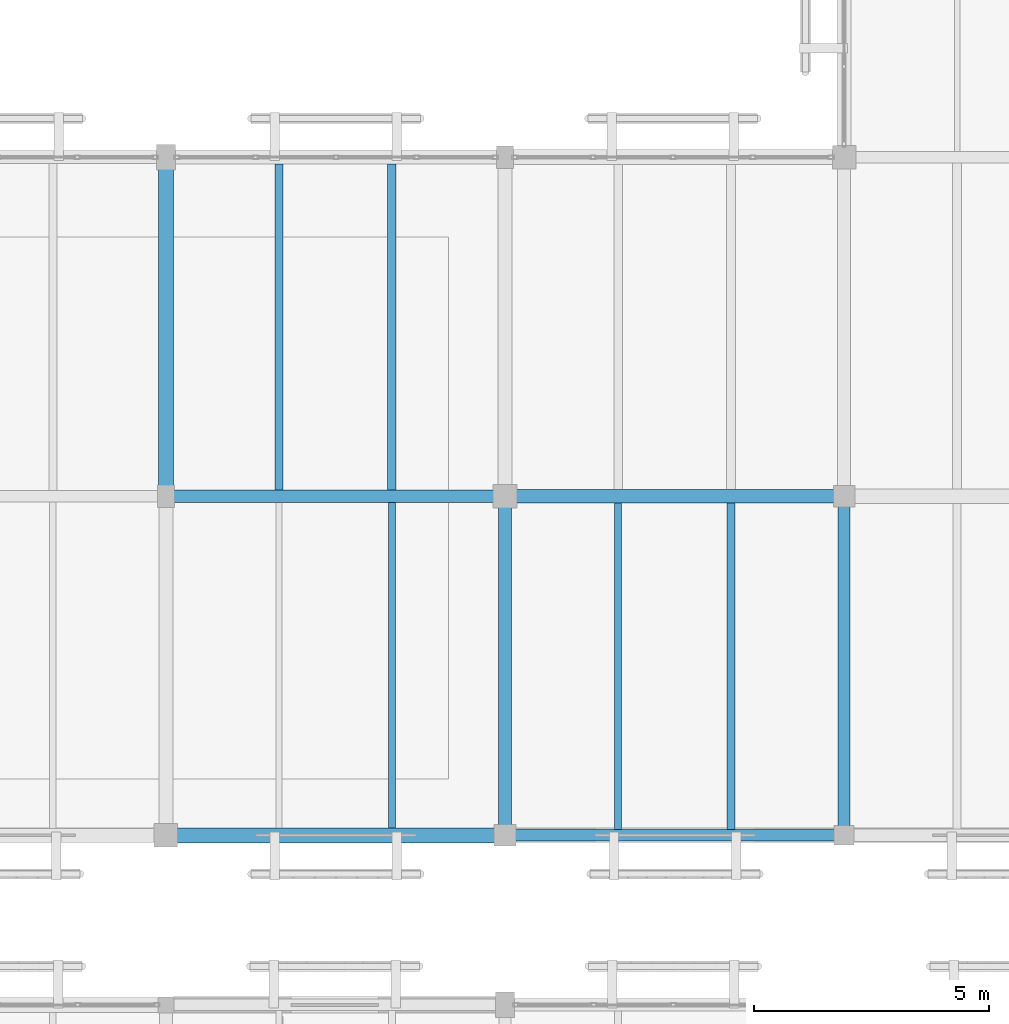
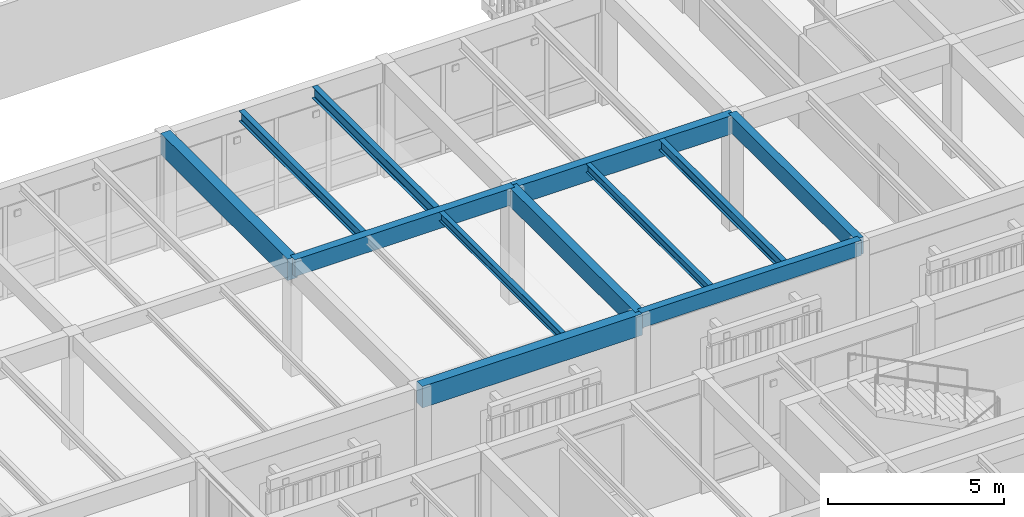
# One storey, part 142 of 217: 12 beams.
"""IFC4 building model written with IfcOpenShell, lengths in metres."""

import ifcopenshell
import ifcopenshell.guid

model = None  # the IFC model being written
_history = None  # IfcOwnerHistory: only IFC2X3 demands one
_inside = {}  # id of a spatial element -> (the spatial element, [elements in it])
_under = {}  # id of a project, library or spatial element -> (it, [spatial elements below it])
_declared = {}  # id of a project -> (the project, [libraries it declares])
_typed = {}  # id of a type object -> (the type object, [elements of that type])
_made_of = {}  # id of a material, layer set ... -> (it, [elements and type objects made of it])


def new_model(schema):
    """Start an empty IFC model of exactly this schema.

    Asked for "IFC4X3", IfcOpenShell would pick the latest addendum, in which some entities
    have other attributes; the version numbers below select the first issue.
    IFC2X3 requires an IfcOwnerHistory on every rooted entity: one is made here for all.
    """
    global model, _history
    if schema == "IFC4X3":
        model = ifcopenshell.file(schema_version=(4, 3, 0, 0))
    else:
        model = ifcopenshell.file(schema=schema)
    _inside.clear()
    _under.clear()
    _declared.clear()
    _typed.clear()
    _made_of.clear()
    _history = None
    if model.schema == "IFC2X3":
        org = make("IfcOrganization", Name="unknown")
        user = make(
            "IfcPersonAndOrganization",
            ThePerson=make("IfcPerson", FamilyName="unknown"),
            TheOrganization=org,
        )
        app = make(
            "IfcApplication",
            ApplicationDeveloper=org,
            Version="unknown",
            ApplicationFullName="unknown",
            ApplicationIdentifier="unknown",
        )
        _history = make(
            "IfcOwnerHistory",
            OwningUser=user,
            OwningApplication=app,
            ChangeAction="ADDED",
            CreationDate=0,
        )
    return model


def make(cls, **values):
    """One entity of the class cls with the attributes given. An attribute that is None is left unset."""
    return model.create_entity(
        cls, **{name: value for name, value in values.items() if value is not None}
    )


def rooted(cls, **values):
    """An entity with a GlobalId (a new one), such as an element, a storey or a relation."""
    return make(cls, GlobalId=ifcopenshell.guid.new(), OwnerHistory=_history, **values)


def si_unit(unit_type, name, prefix=None):
    """IfcSIUnit, for example si_unit("LENGTHUNIT", "METRE", prefix="MILLI")."""
    return make("IfcSIUnit", UnitType=unit_type, Prefix=prefix, Name=name)


def assignment(units):
    """IfcUnitAssignment: the units of a project."""
    return None if units is None else make("IfcUnitAssignment", Units=units)


def point(xyz):
    """IfcCartesianPoint."""
    return None if xyz is None else make("IfcCartesianPoint", Coordinates=xyz)


def direction(xyz):
    """IfcDirection."""
    return None if xyz is None else make("IfcDirection", DirectionRatios=xyz)


def frame(location, z_axis=None, x_axis=None):
    """IfcAxis2Placement3D, a coordinate frame: its origin and axes. An axis left out is left unset."""
    return make(
        "IfcAxis2Placement3D",
        Location=point(location),
        Axis=direction(z_axis),
        RefDirection=direction(x_axis),
    )


def frame_2d(location, x_axis=None):
    """IfcAxis2Placement2D, a coordinate frame in the plane: its origin and x axis."""
    return make(
        "IfcAxis2Placement2D", Location=point(location), RefDirection=direction(x_axis)
    )


def origin():
    """The frame at (0, 0, 0) with its axes left unset."""
    return frame((0.0, 0.0, 0.0))


def origin_2d():
    """The frame at (0, 0) in the plane with its x axis left unset."""
    return frame_2d((0.0, 0.0))


def place(relative_to, where):
    """IfcLocalPlacement: puts the frame where relative to a parent placement (None: the world)."""
    return make(
        "IfcLocalPlacement", PlacementRelTo=relative_to, RelativePlacement=where
    )


def context(
    kind, dimensions, precision=None, world=None, true_north=None, identifier=None
):
    """IfcGeometricRepresentationContext, for example the 3D "Model" context."""
    return make(
        "IfcGeometricRepresentationContext",
        ContextIdentifier=identifier,
        ContextType=kind,
        CoordinateSpaceDimension=dimensions,
        Precision=precision,
        WorldCoordinateSystem=world,
        TrueNorth=true_north,
    )


def subcontext(parent, identifier, kind, view, scale=None):
    """IfcGeometricRepresentationSubContext, for example "Body" below "Model"."""
    return make(
        "IfcGeometricRepresentationSubContext",
        ContextIdentifier=identifier,
        ContextType=kind,
        ParentContext=parent,
        TargetScale=scale,
        TargetView=view,
    )


def project(units=None, contexts=None):
    """IfcProject with its units and contexts."""
    return rooted(
        "IfcProject",
        Name="project",
        RepresentationContexts=contexts,
        UnitsInContext=assignment(units),
    )


def spatial(cls, under=None, at=None, **own):
    """A site, building, storey or space (cls), placed at a placement, below another one or the project."""
    s = rooted(cls, ObjectPlacement=at, **own)
    if under is not None:
        _under.setdefault(under.id(), (under, []))[1].append(s)
    return s


def profile(cls, at=None, kind="AREA", **sizes):
    """A parametric profile (cls). Its sizes go by their IFC names, for example OverallWidth=200.0."""
    return make(cls, ProfileType=kind, Position=at, **sizes)


def rectangle(**sizes):
    """IfcRectangleProfileDef."""
    return profile("IfcRectangleProfileDef", **sizes)


def i_section(**sizes):
    """IfcIShapeProfileDef."""
    return profile("IfcIShapeProfileDef", **sizes)


def extrude(swept, where, along, depth):
    """IfcExtrudedAreaSolid: the profile swept, set in the frame where, extruded along a direction by depth."""
    return make(
        "IfcExtrudedAreaSolid",
        SweptArea=swept,
        Position=where,
        ExtrudedDirection=direction(along),
        Depth=depth,
    )


def shape(context_of_items, identifier, shape_type, items):
    """IfcShapeRepresentation: the items that make up one representation, for example the "Body"."""
    return make(
        "IfcShapeRepresentation",
        ContextOfItems=context_of_items,
        RepresentationIdentifier=identifier,
        RepresentationType=shape_type,
        Items=items,
    )


def material(Name=None, Category=None):
    """IfcMaterial."""
    return make("IfcMaterial", Name=Name, Category=Category)


def material_profile(
    of_material, cross_section, Name=None, Category=None, Priority=None
):
    """IfcMaterialProfile: a cross section and its material."""
    return make(
        "IfcMaterialProfile",
        Name=Name,
        Material=of_material,
        Profile=cross_section,
        Priority=Priority,
        Category=Category,
    )


def profile_set(profiles, Name=None, composite=None):
    """IfcMaterialProfileSet."""
    return make(
        "IfcMaterialProfileSet",
        Name=Name,
        MaterialProfiles=profiles,
        CompositeProfile=composite,
    )


def made_of(thing, what):
    """Note that an element or type object is made of a material, layer set ...; save() writes the relation."""
    if what is not None:
        _made_of.setdefault(what.id(), (what, []))[1].append(thing)
    return thing


def type_object(cls, material=None, **own):
    """A type object (cls), such as IfcWallType, which elements share."""
    return made_of(rooted(cls, **own), material)


def element(
    cls,
    number,
    at=None,
    inside=None,
    cuts=None,
    type_object=None,
    material=None,
    context=None,
    identifier="Body",
    shape_type=None,
    held_by="IfcProductDefinitionShape",
    body=None,
    shapes=None,
    **own,
):
    """One element of the class cls, such as IfcWall. Its Tag is "e" and its number.

    at: its placement. inside: the storey or other place that contains it. cuts: it is an
    opening in that element (IfcRelVoidsElement). A single representation is given by context,
    identifier, shape_type and body (its items); several are given by shapes. held_by: the class
    of the entity that holds the representations. save() writes the other relations.
    """
    e = rooted(cls, Tag="e%d" % number, ObjectPlacement=at, **own)
    if body is not None:
        shapes = [shape(context, identifier, shape_type, body)]
    if shapes is not None:
        e.Representation = make(held_by, Representations=shapes)
    if inside is not None:
        _inside.setdefault(inside.id(), (inside, []))[1].append(e)
    if cuts is not None:
        rooted(
            "IfcRelVoidsElement", RelatingBuildingElement=cuts, RelatedOpeningElement=e
        )
    if type_object is not None:
        _typed.setdefault(type_object.id(), (type_object, []))[1].append(e)
    return made_of(e, material)


def aggregate(whole, parts):
    """IfcRelAggregates: a whole, such as a stair, and the parts it consists of."""
    return rooted("IfcRelAggregates", RelatingObject=whole, RelatedObjects=parts)


def save(model, path):
    """Write the relations noted so far, then the file.

    IfcRelAggregates (storeys below a building ...), IfcRelContainedInSpatialStructure (elements
    in a storey), IfcRelDefinesByType, IfcRelAssociatesMaterial and IfcRelDeclares: one each for
    every whole, place, type object, material and project.
    """
    for whole, parts in _under.values():
        aggregate(whole, parts)
    for where, things in _inside.values():
        rooted(
            "IfcRelContainedInSpatialStructure",
            RelatedElements=things,
            RelatingStructure=where,
        )
    for kind, things in _typed.values():
        rooted("IfcRelDefinesByType", RelatedObjects=things, RelatingType=kind)
    for what, things in _made_of.values():
        rooted("IfcRelAssociatesMaterial", RelatedObjects=things, RelatingMaterial=what)
    for by, libraries in _declared.values():
        rooted("IfcRelDeclares", RelatingContext=by, RelatedDefinitions=libraries)
    model.write(path)


model = new_model("IFC4")

# Units and contexts
model_context = context("Model", 3, precision=1e-05, world=origin(), true_north=direction((0.0, 1.0)))
body_context = subcontext(model_context, "Body", "Model", "MODEL_VIEW")
ifc_project = project(units=[si_unit("LENGTHUNIT", "METRE"), si_unit("AREAUNIT", "SQUARE_METRE"), si_unit("VOLUMEUNIT", "CUBIC_METRE"), si_unit("PLANEANGLEUNIT", "RADIAN"), si_unit("MASSUNIT", "GRAM", prefix="KILO")], contexts=[model_context])

# Site, building, storey
site_placement = place(None, origin())
site = spatial("IfcSite", under=ifc_project, at=site_placement, CompositionType="ELEMENT")
building_placement = place(site_placement, origin())
building = spatial("IfcBuilding", under=site, at=building_placement, Name="Mazaris Harbour Polytechnic", CompositionType="ELEMENT")
storey_placement = place(building_placement, frame((0.0, 0.0, 9.60009765625)))
storey = spatial("IfcBuildingStorey", under=building, at=storey_placement, Name="L02", CompositionType="ELEMENT", Elevation=9.60009765625)

# Beams
ifc_material_1 = material(Name="Glulam GL32h", Category="wood")
ifc_material_profile_1 = material_profile(ifc_material_1, rectangle(XDim=0.239990234375, YDim=0.52001953125, at=origin_2d()), Name="RECT240x520")
ifc_profile_set_1 = profile_set([ifc_material_profile_1], Name="Glulam GL32h")
beam_type_1 = type_object("IfcBeamType", Name="Glulam Girder 240x520 Exterior", PredefinedType="BEAM", material=ifc_profile_set_1)
beam_1_placement = place(storey_placement, frame((151.199951171875, 46.800048828125, 3.659912109375), z_axis=(1.0, 0.0, 0.0), x_axis=(0.0, 1.0, 0.0)))
element("IfcBeam", 1, at=beam_1_placement, inside=storey, type_object=beam_type_1, Name="V5 L02 Girder 3120", PredefinedType="BEAM", context=body_context, shape_type="SweptSolid", body=[
    extrude(rectangle(XDim=0.239990234375, YDim=0.52001953125, at=origin_2d()), origin(), (0.0, 0.0, 1.0), 7.199951171875),
])
ifc_material_2 = material(Name="Glulam GL32h", Category="wood")
ifc_material_profile_2 = material_profile(ifc_material_2, rectangle(XDim=0.260009765625, YDim=0.580078125, at=origin_2d()), Name="RECT260x580")
ifc_profile_set_2 = profile_set([ifc_material_profile_2], Name="Glulam GL32h")
beam_type_2 = type_object("IfcBeamType", Name="Glulam Girder 260x580", PredefinedType="BEAM", material=ifc_profile_set_2)
for number, where, z_axis, x_axis, name in (
    (2, (144.0, 54.0, 3.6298828125), (1.0, 0.0, 0.0), (0.0, 1.0, 0.0), "V5 L02 Girder 3126"),
    (3, (158.39990234375, 46.800048828125, 3.6298828125), (0.0, 1.0, 0.0), (-1.0, 0.0, 0.0), "V5 L02 Tie Girder 3201"),
):
    element("IfcBeam", number, at=place(storey_placement, frame(where, z_axis=z_axis, x_axis=x_axis)), inside=storey, type_object=beam_type_2, Name=name, PredefinedType="BEAM", context=body_context, shape_type="SweptSolid", body=[
        extrude(rectangle(XDim=0.260009765625, YDim=0.580078125, at=origin_2d()), origin(), (0.0, 0.0, 1.0), 7.199951171875),
    ])
ifc_material_3 = material(Name="Glulam GL32h", Category="wood")
ifc_material_profile_3 = material_profile(ifc_material_3, rectangle(XDim=0.280029296875, YDim=0.639892578125, at=origin_2d()), Name="RECT280x640")
ifc_profile_set_3 = profile_set([ifc_material_profile_3], Name="Glulam GL32h")
beam_type_3 = type_object("IfcBeamType", Name="Glulam Girder 280x640", PredefinedType="BEAM", material=ifc_profile_set_3)
for number, where, z_axis, x_axis, name in (
    (4, (151.199951171875, 54.0, 3.599853515625), (1.0, 0.0, 0.0), (0.0, 1.0, 0.0), "V5 L02 Girder 3127"),
    (5, (151.199951171875, 46.800048828125, 3.599853515625), (0.0, 1.0, 0.0), (-1.0, 0.0, 0.0), "V5 L02 Tie Girder 3197"),
):
    element("IfcBeam", number, at=place(storey_placement, frame(where, z_axis=z_axis, x_axis=x_axis)), inside=storey, type_object=beam_type_3, Name=name, PredefinedType="BEAM", context=body_context, shape_type="SweptSolid", body=[
        extrude(rectangle(XDim=0.280029296875, YDim=0.639892578125, at=origin_2d()), origin(), (0.0, 0.0, 1.0), 7.199951171875),
    ])
ifc_material_4 = material(Name="Glulam GL32h", Category="wood")
ifc_material_profile_4 = material_profile(ifc_material_4, rectangle(XDim=0.320068359375, YDim=0.739990234375, at=origin_2d()), Name="RECT320x740")
ifc_profile_set_4 = profile_set([ifc_material_profile_4], Name="Glulam GL32h")
beam_type_4 = type_object("IfcBeamType", Name="Glulam Girder 320x740", PredefinedType="BEAM", material=ifc_profile_set_4)
beam_2_placement = place(storey_placement, frame((144.0, 54.0, 3.5498046875), z_axis=(0.0, 1.0, 0.0), x_axis=(-1.0, 0.0, 0.0)))
element("IfcBeam", 6, at=beam_2_placement, inside=storey, type_object=beam_type_4, Name="V5 L02 Tie Girder 3194", PredefinedType="BEAM", context=body_context, shape_type="SweptSolid", body=[
    extrude(rectangle(XDim=0.320068359375, YDim=0.739990234375, at=origin_2d()), origin(), (0.0, 0.0, 1.0), 7.199951171875),
])
ifc_material_5 = material(Name="Glulam GL32h", Category="wood")
ifc_material_profile_5 = material_profile(ifc_material_5, rectangle(XDim=0.320068359375, YDim=0.739990234375, at=origin_2d()), Name="RECT320x740")
ifc_profile_set_5 = profile_set([ifc_material_profile_5], Name="Glulam GL32h")
beam_type_5 = type_object("IfcBeamType", Name="Glulam Girder 320x740 Exterior", PredefinedType="BEAM", material=ifc_profile_set_5)
beam_3_placement = place(storey_placement, frame((144.0, 46.800048828125, 3.5498046875), z_axis=(1.0, 0.0, 0.0), x_axis=(0.0, 1.0, 0.0)))
element("IfcBeam", 7, at=beam_3_placement, inside=storey, type_object=beam_type_5, Name="V5 L02 Girder 3119", PredefinedType="BEAM", context=body_context, shape_type="SweptSolid", body=[
    extrude(rectangle(XDim=0.320068359375, YDim=0.739990234375, at=origin_2d()), origin(), (0.0, 0.0, 1.0), 7.199951171875),
])
ifc_material_6 = material(Name="Steel S355", Category="steel")
ifc_material_profile_6 = material_profile(ifc_material_6, i_section(OverallWidth=0.14990234375, OverallDepth=0.300048828125, WebThickness=0.007080078125, FlangeThickness=0.0107421875, FilletRadius=0.014892578125, at=origin_2d()), Name="IPE 300")
ifc_profile_set_6 = profile_set([ifc_material_profile_6], Name="Steel S355")
beam_type_6 = type_object("IfcBeamType", Name="Steel Joist IPE300", PredefinedType="JOIST", material=ifc_profile_set_6)
beam_4_placement = place(storey_placement, frame((148.800048828125, 46.9599609375, 3.77001953125), z_axis=(0.0, 1.0, 0.0), x_axis=(-1.0, 0.0, 0.0)))
element("IfcBeam", 8, at=beam_4_placement, inside=storey, type_object=beam_type_6, Name="V5 L02 Floor Joist 3258", PredefinedType="JOIST", context=body_context, shape_type="SweptSolid", body=[
    extrude(i_section(OverallWidth=0.14990234375, OverallDepth=0.300048828125, WebThickness=0.007080078125, FlangeThickness=0.0107421875, FilletRadius=0.014892578125, at=origin_2d()), origin(), (0.0, 0.0, 1.0), 6.91015625),
])
beam_5_placement = place(storey_placement, frame((153.60009765625, 46.919921875, 3.77001953125), z_axis=(0.0, 1.0, 0.0), x_axis=(-1.0, 0.0, 0.0)))
element("IfcBeam", 9, at=beam_5_placement, inside=storey, type_object=beam_type_6, Name="V5 L02 Floor Joist 3265", PredefinedType="JOIST", context=body_context, shape_type="SweptSolid", body=[
    extrude(i_section(OverallWidth=0.14990234375, OverallDepth=0.300048828125, WebThickness=0.007080078125, FlangeThickness=0.0107421875, FilletRadius=0.014892578125, at=origin_2d()), origin(), (0.0, 0.0, 1.0), 6.940185546875),
])
ifc_material_7 = material(Name="Steel S355", Category="steel")
ifc_material_profile_7 = material_profile(ifc_material_7, i_section(OverallWidth=0.169921875, OverallDepth=0.360107421875, WebThickness=0.008056640625, FlangeThickness=0.0126953125, FilletRadius=0.01806640625, at=origin_2d()), Name="IPE 360")
ifc_profile_set_7 = profile_set([ifc_material_profile_7], Name="Steel S355")
beam_type_7 = type_object("IfcBeamType", Name="Steel Joist IPE360", PredefinedType="JOIST", material=ifc_profile_set_7)
beam_6_placement = place(storey_placement, frame((146.39990234375, 54.1298828125, 3.739990234375), z_axis=(0.0, 1.0, 0.0), x_axis=(-1.0, 0.0, 0.0)))
element("IfcBeam", 10, at=beam_6_placement, inside=storey, type_object=beam_type_7, Name="V5 L02 Floor Joist 3259", PredefinedType="JOIST", context=body_context, shape_type="SweptSolid", body=[
    extrude(i_section(OverallWidth=0.169921875, OverallDepth=0.360107421875, WebThickness=0.008056640625, FlangeThickness=0.0126953125, FilletRadius=0.01806640625, at=origin_2d()), origin(), (0.0, 0.0, 1.0), 6.920166015625),
])
beam_7_placement = place(storey_placement, frame((156.0, 46.919921875, 3.739990234375), z_axis=(0.0, 1.0, 0.0), x_axis=(-1.0, 0.0, 0.0)))
element("IfcBeam", 11, at=beam_7_placement, inside=storey, type_object=beam_type_7, Name="V5 L02 Floor Joist 3266", PredefinedType="JOIST", context=body_context, shape_type="SweptSolid", body=[
    extrude(i_section(OverallWidth=0.169921875, OverallDepth=0.360107421875, WebThickness=0.008056640625, FlangeThickness=0.0126953125, FilletRadius=0.01806640625, at=origin_2d()), origin(), (0.0, 0.0, 1.0), 6.940185546875),
])
ifc_material_8 = material(Name="Steel S355", Category="steel")
ifc_material_profile_8 = material_profile(ifc_material_8, i_section(OverallWidth=0.179931640625, OverallDepth=0.39990234375, WebThickness=0.008544921875, FlangeThickness=0.013427734375, FilletRadius=0.02099609375, at=origin_2d()), Name="IPE 400")
ifc_profile_set_8 = profile_set([ifc_material_profile_8], Name="Steel S355")
beam_type_8 = type_object("IfcBeamType", Name="Steel Joist IPE400", PredefinedType="JOIST", material=ifc_profile_set_8)
beam_8_placement = place(storey_placement, frame((148.800048828125, 54.1298828125, 3.719970703125), z_axis=(0.0, 1.0, 0.0), x_axis=(-1.0, 0.0, 0.0)))
element("IfcBeam", 12, at=beam_8_placement, inside=storey, type_object=beam_type_8, Name="V5 L02 Floor Joist 3260", PredefinedType="JOIST", context=body_context, shape_type="SweptSolid", body=[
    extrude(i_section(OverallWidth=0.179931640625, OverallDepth=0.39990234375, WebThickness=0.008544921875, FlangeThickness=0.013427734375, FilletRadius=0.02099609375, at=origin_2d()), origin(), (0.0, 0.0, 1.0), 6.920166015625),
])

save(model, "model.ifc")
